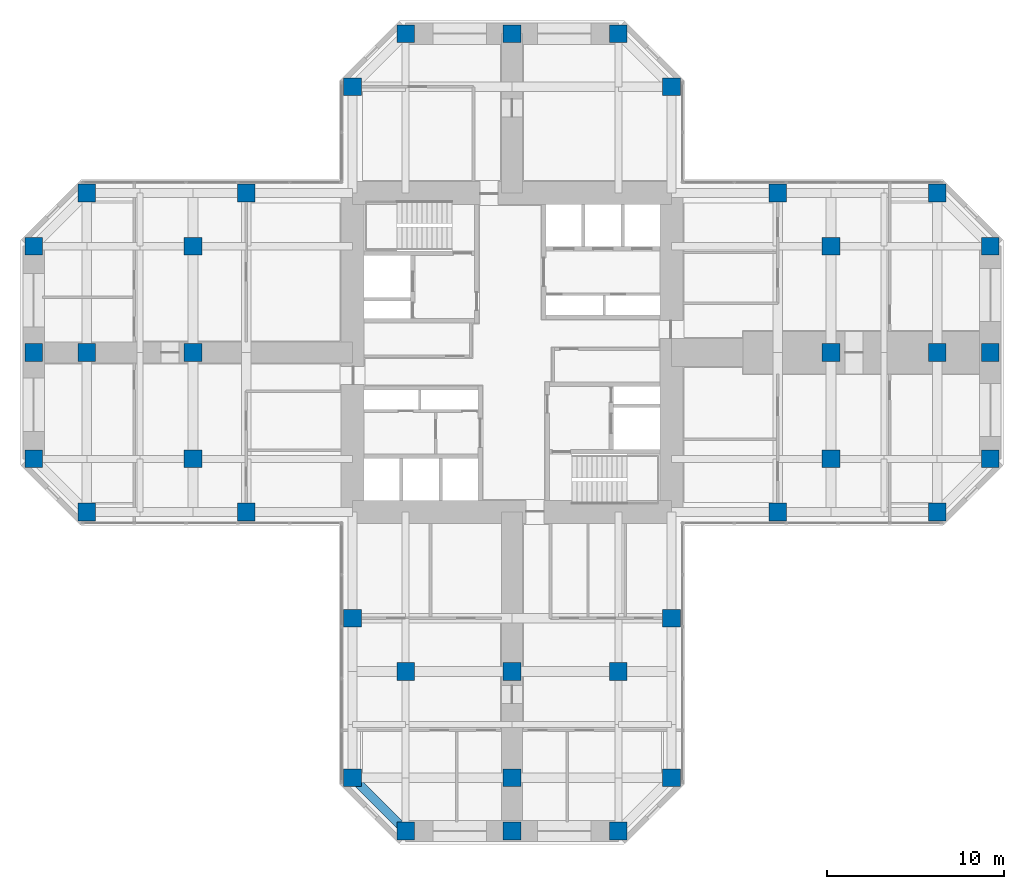
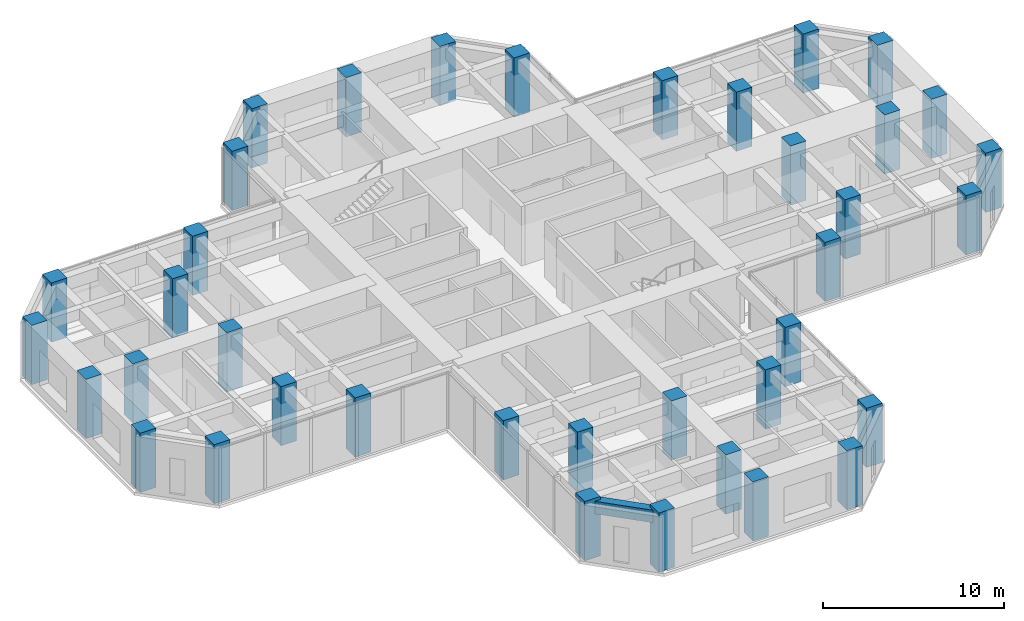
# One storey, part 1 of 13: 38 columns, 1 beam.
"""IFC4 building model written with IfcOpenShell, lengths in metres."""

from ifc_helpers import new_model, si_unit, direction, frame, origin, origin_2d, place, context, subcontext, project, spatial, rectangle, extrude, material, material_profile, profile_set, type_object, element, save


model = new_model("IFC4")

# Units and contexts
model_context = context("Model", 3, precision=1e-05, world=origin(), true_north=direction((0.0, 1.0)))
body_context = subcontext(model_context, "Body", "Model", "MODEL_VIEW")
ifc_project = project(units=[si_unit("LENGTHUNIT", "METRE"), si_unit("AREAUNIT", "SQUARE_METRE"), si_unit("VOLUMEUNIT", "CUBIC_METRE"), si_unit("PLANEANGLEUNIT", "RADIAN"), si_unit("MASSUNIT", "GRAM", prefix="KILO")], contexts=[model_context])

# Site, building, storey
site_placement = place(None, origin())
site = spatial("IfcSite", under=ifc_project, at=site_placement, CompositionType="ELEMENT")
building_placement = place(site_placement, origin())
building = spatial("IfcBuilding", under=site, at=building_placement, Name="Torre Cruceta", CompositionType="ELEMENT")
storey_placement = place(building_placement, frame((0.0, 0.0, 152.5)))
storey = spatial("IfcBuildingStorey", under=building, at=storey_placement, Name="L37", CompositionType="ELEMENT", Elevation=152.5)

# Columns
ifc_material_1 = material(Name="Concrete G60 (fck 60 MPa)", Category="concrete")
ifc_material_profile_1 = material_profile(ifc_material_1, rectangle(XDim=1.0, YDim=1.0, at=origin_2d()), Name="RC 1000X1000")
ifc_profile_set_1 = profile_set([ifc_material_profile_1], Name="Concrete G60 (fck 60 MPa)")
column_type = type_object("IfcColumnType", Name="COLUMN RC 1000X1000", PredefinedType="COLUMN", material=ifc_profile_set_1)
for number, where, z_axis, x_axis, name in (
    (1, (9.0, 15.0, 0.0), (0.0, 0.0, 1.0), (1.0, 0.0, 0.0), "C5 L37 N chamfer"),
    (2, (-9.0, 15.0, 0.0), (0.0, 0.0, 1.0), (1.0, 0.0, 0.0), "C5 L37 N chamfer"),
    (3, (6.0, 18.0, 0.0), (0.0, 0.0, 1.0), (1.0, 0.0, 0.0), "C5 L37 N tip"),
    (4, (0.0, 18.0, 0.0), (0.0, 0.0, 1.0), (1.0, 0.0, 0.0), "C5 L37 N tip"),
    (5, (-6.0, 18.0, 0.0), (0.0, 0.0, 1.0), (1.0, 0.0, 0.0), "C5 L37 N tip"),
    (6, (15.0, -9.0, 0.0), (0.0, 0.0, 1.0), (1.0, 0.0, 0.0), "C5 L37 E side"),
    (7, (24.0, -9.0, 0.0), (0.0, 0.0, 1.0), (1.0, 0.0, 0.0), "C5 L37 E chamfer"),
    (8, (15.0, 9.0, 0.0), (0.0, 0.0, 1.0), (1.0, 0.0, 0.0), "C5 L37 E side"),
    (9, (24.0, 9.0, 0.0), (0.0, 0.0, 1.0), (1.0, 0.0, 0.0), "C5 L37 E chamfer"),
    (10, (27.0, -6.0, 0.0), (0.0, 0.0, 1.0), (1.0, 0.0, 0.0), "C5 L37 E tip"),
    (11, (27.0, 0.0, 0.0), (0.0, 0.0, 1.0), (1.0, 0.0, 0.0), "C5 L37 E tip"),
    (12, (27.0, 6.0, 0.0), (0.0, 0.0, 1.0), (1.0, 0.0, 0.0), "C5 L37 E tip"),
    (13, (-9.0, -15.0, 0.0), (0.0, 0.0, 1.0), (1.0, 0.0, 0.0), "C5 L37 S side"),
    (14, (-9.0, -24.0, 0.0), (0.0, 0.0, 1.0), (1.0, 0.0, 0.0), "C5 L37 S chamfer"),
    (15, (9.0, -15.0, 0.0), (0.0, 0.0, 1.0), (1.0, 0.0, 0.0), "C5 L37 S side"),
    (16, (9.0, -24.0, 0.0), (0.0, 0.0, 1.0), (1.0, 0.0, 0.0), "C5 L37 S chamfer"),
    (17, (-6.0, -27.0, 0.0), (0.0, 0.0, 1.0), (1.0, 0.0, 0.0), "C5 L37 S tip"),
    (18, (0.0, -27.0, 0.0), (0.0, 0.0, 1.0), (1.0, 0.0, 0.0), "C5 L37 S tip"),
    (19, (6.0, -27.0, 0.0), (0.0, 0.0, 1.0), (1.0, 0.0, 0.0), "C5 L37 S tip"),
    (20, (-15.0, 9.0, 0.0), (0.0, 0.0, 1.0), (1.0, 0.0, 0.0), "C5 L37 W side"),
    (21, (-24.0, 9.0, 0.0), (0.0, 0.0, 1.0), (1.0, 0.0, 0.0), "C5 L37 W chamfer"),
    (22, (-15.0, -9.0, 0.0), (0.0, 0.0, 1.0), (1.0, 0.0, 0.0), "C5 L37 W side"),
    (23, (-24.0, -9.0, 0.0), (0.0, 0.0, 1.0), (1.0, 0.0, 0.0), "C5 L37 W chamfer"),
    (24, (-27.0, 6.0, 0.0), (0.0, 0.0, 1.0), (1.0, 0.0, 0.0), "C5 L37 W tip"),
    (25, (-27.0, 0.0, 0.0), (0.0, 0.0, 1.0), (1.0, 0.0, 0.0), "C5 L37 W tip"),
    (26, (-27.0, -6.0, 0.0), (0.0, 0.0, 1.0), (1.0, 0.0, 0.0), "C5 L37 W tip"),
    (27, (18.0, -6.0, 0.0), (0.0, 0.0, 1.0), (1.0, 0.0, 0.0), "C5 L37 E interior"),
    (28, (18.0, 0.0, 0.0), (0.0, 0.0, 1.0), (1.0, 0.0, 0.0), "C5 L37 E interior"),
    (29, (18.0, 6.0, 0.0), (0.0, 0.0, 1.0), (1.0, 0.0, 0.0), "C5 L37 E interior"),
    (30, (24.0, 0.0, 0.0), (0.0, 0.0, 1.0), (1.0, 0.0, 0.0), "C5 L37 E interior"),
    (31, (-6.0, -18.0, 0.0), (0.0, 0.0, 1.0), (1.0, 0.0, 0.0), "C5 L37 S interior"),
    (32, (0.0, -18.0, 0.0), (0.0, 0.0, 1.0), (1.0, 0.0, 0.0), "C5 L37 S interior"),
    (33, (6.0, -18.0, 0.0), (0.0, 0.0, 1.0), (1.0, 0.0, 0.0), "C5 L37 S interior"),
    (34, (0.0, -24.0, 0.0), (0.0, 0.0, 1.0), (1.0, 0.0, 0.0), "C5 L37 S interior"),
    (35, (-18.0, 6.0, 0.0), (0.0, 0.0, 1.0), (1.0, 0.0, 0.0), "C5 L37 W interior"),
    (36, (-18.0, 0.0, 0.0), (0.0, 0.0, 1.0), (1.0, 0.0, 0.0), "C5 L37 W interior"),
    (37, (-18.0, -6.0, 0.0), (0.0, 0.0, 1.0), (1.0, 0.0, 0.0), "C5 L37 W interior"),
    (38, (-24.0, 0.0, 0.0), (0.0, 0.0, 1.0), (1.0, 0.0, 0.0), "C5 L37 W interior"),
):
    element("IfcColumn", number, at=place(storey_placement, frame(where, z_axis=z_axis, x_axis=x_axis)), inside=storey, type_object=column_type, Name=name, PredefinedType="COLUMN", context=body_context, shape_type="SweptSolid", body=[
        extrude(rectangle(XDim=1.0, YDim=1.0, at=origin_2d()), origin(), (0.0, 0.0, 1.0), 4.0),
    ])

# Beam
ifc_material_2 = material(Name="Concrete G60 (fck 60 MPa)", Category="concrete")
ifc_material_profile_2 = material_profile(ifc_material_2, rectangle(XDim=0.5, YDim=0.85009765625, at=origin_2d()), Name="RC 500X850")
ifc_profile_set_2 = profile_set([ifc_material_profile_2], Name="Concrete G60 (fck 60 MPa)")
beam_type = type_object("IfcBeamType", Name="SPANDREL BEAM RC 500X850", PredefinedType="SPANDREL", material=ifc_profile_set_2)
beam_placement = place(storey_placement, frame((-9.0, -24.0, 3.375), z_axis=(0.707106781187, -0.707106781187, 0.0), x_axis=(0.707106781187, 0.707106781187, 0.0)))
element("IfcBeam", 39, at=beam_placement, inside=storey, type_object=beam_type, Name="SB5 L37 S side- 5", PredefinedType="SPANDREL", context=body_context, shape_type="SweptSolid", body=[
    extrude(rectangle(XDim=0.5, YDim=0.85009765625, at=origin_2d()), origin(), (0.0, 0.0, 1.0), 4.24267578125),
])

save(model, "model.ifc")
